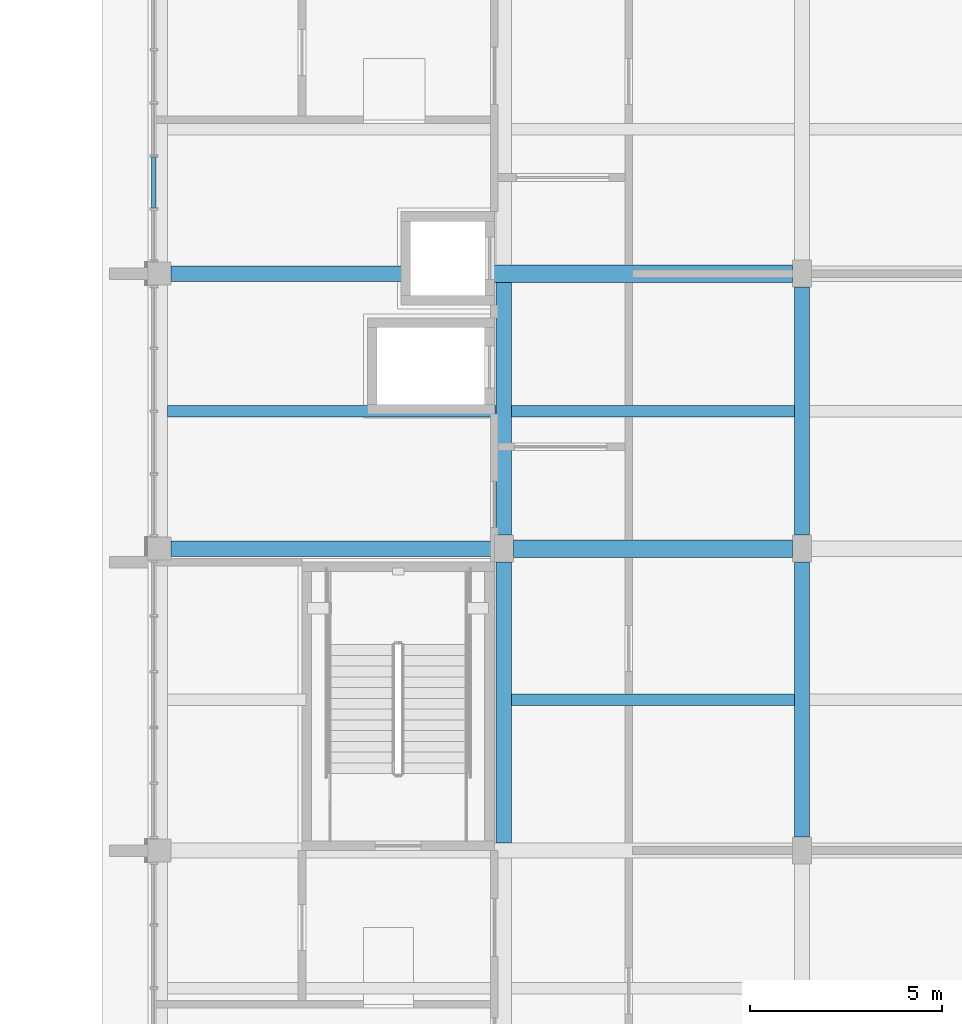
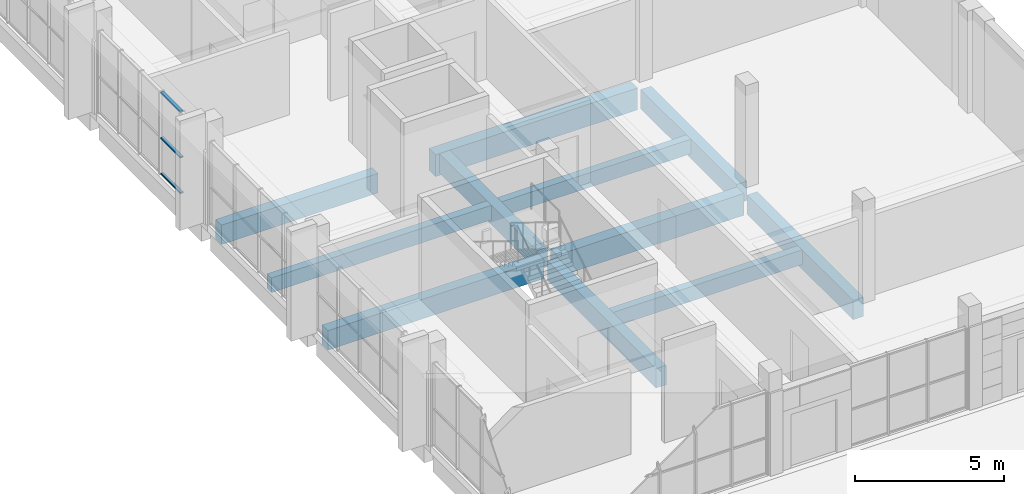
# One storey, part 12 of 42: 11 beams, 3 members, 1 element without a shape of its own.
"""IFC4 building model written with IfcOpenShell, lengths in metres."""

from ifc_helpers import new_model, si_unit, direction, frame, origin, origin_2d, place, context, subcontext, project, spatial, rectangle, hollow_rectangle, extrude, material, material_profile, profile_set, type_object, element, aggregate, save


model = new_model("IFC4")

# Units and contexts
model_context = context("Model", 3, precision=1e-05, world=origin(), true_north=direction((0.0, 1.0)))
body_context = subcontext(model_context, "Body", "Model", "MODEL_VIEW")
ifc_project = project(units=[si_unit("LENGTHUNIT", "METRE"), si_unit("AREAUNIT", "SQUARE_METRE"), si_unit("VOLUMEUNIT", "CUBIC_METRE"), si_unit("PLANEANGLEUNIT", "RADIAN"), si_unit("MASSUNIT", "GRAM", prefix="KILO")], contexts=[model_context])

# Site, building, storey
site_placement = place(None, origin())
site = spatial("IfcSite", under=ifc_project, at=site_placement, CompositionType="ELEMENT")
building_placement = place(site_placement, origin())
building = spatial("IfcBuilding", under=site, at=building_placement, Name="Sun Court Science Centre", CompositionType="ELEMENT")
storey_placement = place(building_placement, frame((0.0, 0.0, 20.25)))
storey = spatial("IfcBuildingStorey", under=building, at=storey_placement, Name="L04", CompositionType="ELEMENT", Elevation=20.25)

# Curtain wall, members
ifc_material_1 = material(Name="Aluminium EN AW-6063 T6", Category="aluminium")
curtain_wall_type = type_object("IfcCurtainWallType", Name="Laboratory tall bay curtain wall 1500", PredefinedType="NOTDEFINED", material=ifc_material_1)
curtain_wall_placement = place(storey_placement, origin())
curtain_wall = element("IfcCurtainWall", 1, at=curtain_wall_placement, inside=storey, type_object=curtain_wall_type, Name="Curtain wall V4 W L04 04", PredefinedType="NOTDEFINED")
ifc_material_2 = material(Name="Aluminium EN AW-6063 T6", Category="aluminium")
ifc_material_profile_1 = material_profile(ifc_material_2, hollow_rectangle(XDim=0.06005859375, YDim=0.1201171875, WallThickness=0.00390625, InnerFilletRadius=0.00390625, OuterFilletRadius=0.006103515625, at=origin_2d()), Name="AL 60x120x4")
ifc_profile_set_1 = profile_set([ifc_material_profile_1], Name="Aluminium EN AW-6063 T6")
member_type = type_object("IfcMemberType", Name="Curtain wall transom AL 60x120", PredefinedType="USERDEFINED", material=ifc_profile_set_1)
member_1_placement = place(storey_placement, frame((78.14990234375, 52.7099609375, 0.030029296875), z_axis=(0.0, 1.0, 0.0), x_axis=(0.0, 0.0, 1.0)))
member_1 = element("IfcMember", 2, at=member_1_placement, type_object=member_type, Name="CW2-40 transom 2.1", ObjectType="TRANSOM", PredefinedType="USERDEFINED", context=body_context, shape_type="SweptSolid", body=[
    extrude(hollow_rectangle(XDim=0.06005859375, YDim=0.1201171875, WallThickness=0.00390625, InnerFilletRadius=0.00390625, OuterFilletRadius=0.006103515625, at=origin_2d()), origin(), (0.0, 0.0, 1.0), 1.320068359375),
])
member_2_placement = place(storey_placement, frame((78.14990234375, 52.7099609375, 1.5), z_axis=(0.0, 1.0, 0.0), x_axis=(0.0, 0.0, 1.0)))
member_2 = element("IfcMember", 3, at=member_2_placement, type_object=member_type, Name="CW2-40 transom 2.2", ObjectType="TRANSOM", PredefinedType="USERDEFINED", context=body_context, shape_type="SweptSolid", body=[
    extrude(hollow_rectangle(XDim=0.06005859375, YDim=0.1201171875, WallThickness=0.00390625, InnerFilletRadius=0.00390625, OuterFilletRadius=0.006103515625, at=origin_2d()), origin(), (0.0, 0.0, 1.0), 1.320068359375),
])
member_3_placement = place(storey_placement, frame((78.14990234375, 52.7099609375, 3.3701171875), z_axis=(0.0, 1.0, 0.0), x_axis=(0.0, 0.0, 1.0)))
member_3 = element("IfcMember", 4, at=member_3_placement, type_object=member_type, Name="CW2-40 transom 2.3", ObjectType="TRANSOM", PredefinedType="USERDEFINED", context=body_context, shape_type="SweptSolid", body=[
    extrude(hollow_rectangle(XDim=0.06005859375, YDim=0.1201171875, WallThickness=0.00390625, InnerFilletRadius=0.00390625, OuterFilletRadius=0.006103515625, at=origin_2d()), origin(), (0.0, 0.0, 1.0), 1.320068359375),
])
aggregate(curtain_wall, [member_1, member_2, member_3])

# Beams
ifc_material_3 = material(Name="Concrete C25/30", Category="concrete")
ifc_material_profile_2 = material_profile(ifc_material_3, rectangle(XDim=0.39990234375, YDim=0.800048828125, at=origin_2d()), Name="RC 400x800")
ifc_profile_set_2 = profile_set([ifc_material_profile_2], Name="Concrete C25/30")
beam_type_1 = type_object("IfcBeamType", Name="RC girder 400x800", PredefinedType="BEAM", material=ifc_profile_set_2)
beam_1_placement = place(storey_placement, frame((78.60009765625, 43.85009765625, -0.699951171875), z_axis=(1.0, 0.0, 0.0), x_axis=(0.0, 1.0, 0.0)))
element("IfcBeam", 5, at=beam_1_placement, inside=storey, type_object=beam_type_1, Name="Girder L04 row 6", PredefinedType="BEAM", context=body_context, shape_type="SweptSolid", body=[
    extrude(rectangle(XDim=0.39990234375, YDim=0.800048828125, at=origin_2d()), origin(), (0.0, 0.0, 1.0), 8.39990234375),
])
beam_2_placement = place(storey_placement, frame((78.60009765625, 51.0, -0.699951171875), z_axis=(1.0, 0.0, 0.0), x_axis=(0.0, 1.0, 0.0)))
element("IfcBeam", 6, at=beam_2_placement, inside=storey, type_object=beam_type_1, Name="Girder L04 row 7", PredefinedType="BEAM", context=body_context, shape_type="SweptSolid", body=[
    extrude(rectangle(XDim=0.39990234375, YDim=0.800048828125, at=origin_2d()), origin(), (0.0, 0.0, 1.0), 6.077392578125),
])
beam_3_placement = place(storey_placement, frame((87.25, 36.199951171875, -0.699951171875), z_axis=(0.0, 1.0, 0.0), x_axis=(-1.0, 0.0, 0.0)))
element("IfcBeam", 7, at=beam_3_placement, inside=storey, type_object=beam_type_1, Name="Girder L04 line 2", PredefinedType="BEAM", context=body_context, shape_type="SweptSolid", body=[
    extrude(rectangle(XDim=0.39990234375, YDim=0.800048828125, at=origin_2d()), origin(), (0.0, 0.0, 1.0), 7.300048828125),
])
beam_4_placement = place(storey_placement, frame((87.25, 44.199951171875, -0.699951171875), z_axis=(0.0, 1.0, 0.0), x_axis=(-1.0, 0.0, 0.0)))
element("IfcBeam", 8, at=beam_4_placement, inside=storey, type_object=beam_type_1, Name="Girder L04 line 2", PredefinedType="BEAM", context=body_context, shape_type="SweptSolid", body=[
    extrude(rectangle(XDim=0.39990234375, YDim=0.800048828125, at=origin_2d()), origin(), (0.0, 0.0, 1.0), 6.574951171875),
])
beam_5_placement = place(storey_placement, frame((95.0, 36.35009765625, -0.699951171875), z_axis=(0.0, 1.0, 0.0), x_axis=(-1.0, 0.0, 0.0)))
element("IfcBeam", 9, at=beam_5_placement, inside=storey, type_object=beam_type_1, Name="Girder L04 line 3", PredefinedType="BEAM", context=body_context, shape_type="SweptSolid", body=[
    extrude(rectangle(XDim=0.39990234375, YDim=0.800048828125, at=origin_2d()), origin(), (0.0, 0.0, 1.0), 7.14990234375),
])
beam_6_placement = place(storey_placement, frame((95.0, 44.199951171875, -0.699951171875), z_axis=(0.0, 1.0, 0.0), x_axis=(-1.0, 0.0, 0.0)))
element("IfcBeam", 10, at=beam_6_placement, inside=storey, type_object=beam_type_1, Name="Girder L04 line 3", PredefinedType="BEAM", context=body_context, shape_type="SweptSolid", body=[
    extrude(rectangle(XDim=0.39990234375, YDim=0.800048828125, at=origin_2d()), origin(), (0.0, 0.0, 1.0), 6.449951171875),
])
ifc_material_4 = material(Name="Concrete C25/30", Category="concrete")
ifc_material_profile_3 = material_profile(ifc_material_4, rectangle(XDim=0.449951171875, YDim=0.89990234375, at=origin_2d()), Name="RC 450x900")
ifc_profile_set_3 = profile_set([ifc_material_profile_3], Name="Concrete C25/30")
beam_type_2 = type_object("IfcBeamType", Name="RC girder 450x900", PredefinedType="BEAM", material=ifc_profile_set_3)
beam_7_placement = place(storey_placement, frame((87.5, 43.85009765625, -0.75), z_axis=(1.0, 0.0, 0.0), x_axis=(0.0, 1.0, 0.0)))
element("IfcBeam", 11, at=beam_7_placement, inside=storey, type_object=beam_type_2, Name="Girder L04 row 6", PredefinedType="BEAM", context=body_context, shape_type="SweptSolid", body=[
    extrude(rectangle(XDim=0.449951171875, YDim=0.89990234375, at=origin_2d()), origin(), (0.0, 0.0, 1.0), 7.25),
])
beam_8_placement = place(storey_placement, frame((86.902587890625, 51.0, -0.75), z_axis=(1.0, 0.0, 0.0), x_axis=(0.0, 1.0, 0.0)))
element("IfcBeam", 12, at=beam_8_placement, inside=storey, type_object=beam_type_2, Name="Girder L04 row 7", PredefinedType="BEAM", context=body_context, shape_type="SweptSolid", body=[
    extrude(rectangle(XDim=0.449951171875, YDim=0.89990234375, at=origin_2d()), origin(), (0.0, 0.0, 1.0), 7.847412109375),
])
ifc_material_5 = material(Name="Concrete C25/30", Category="concrete")
ifc_material_profile_4 = material_profile(ifc_material_5, rectangle(XDim=0.300048828125, YDim=0.60009765625, at=origin_2d()), Name="RC 300x600")
ifc_profile_set_4 = profile_set([ifc_material_profile_4], Name="Concrete C25/30")
beam_type_3 = type_object("IfcBeamType", Name="RC joist 300x600", PredefinedType="JOIST", material=ifc_profile_set_4)
beam_9_placement = place(storey_placement, frame((87.449951171875, 39.925048828125, -0.60009765625), z_axis=(1.0, 0.0, 0.0), x_axis=(0.0, 1.0, 0.0)))
element("IfcBeam", 13, at=beam_9_placement, inside=storey, type_object=beam_type_3, Name="Joist L04", PredefinedType="JOIST", context=body_context, shape_type="SweptSolid", body=[
    extrude(rectangle(XDim=0.300048828125, YDim=0.60009765625, at=origin_2d()), origin(), (0.0, 0.0, 1.0), 7.35009765625),
])
beam_10_placement = place(storey_placement, frame((78.5, 47.425048828125, -0.60009765625), z_axis=(1.0, 0.0, 0.0), x_axis=(0.0, 1.0, 0.0)))
element("IfcBeam", 14, at=beam_10_placement, inside=storey, type_object=beam_type_3, Name="Joist L04", PredefinedType="JOIST", context=body_context, shape_type="SweptSolid", body=[
    extrude(rectangle(XDim=0.300048828125, YDim=0.60009765625, at=origin_2d()), origin(), (0.0, 0.0, 1.0), 8.550048828125),
])
beam_11_placement = place(storey_placement, frame((87.449951171875, 47.425048828125, -0.60009765625), z_axis=(1.0, 0.0, 0.0), x_axis=(0.0, 1.0, 0.0)))
element("IfcBeam", 15, at=beam_11_placement, inside=storey, type_object=beam_type_3, Name="Joist L04", PredefinedType="JOIST", context=body_context, shape_type="SweptSolid", body=[
    extrude(rectangle(XDim=0.300048828125, YDim=0.60009765625, at=origin_2d()), origin(), (0.0, 0.0, 1.0), 7.35009765625),
])

save(model, "model.ifc")
